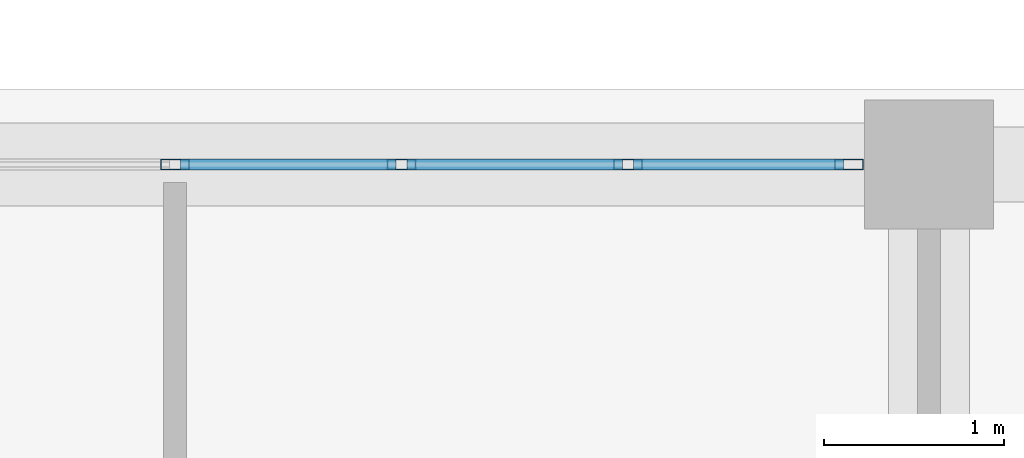
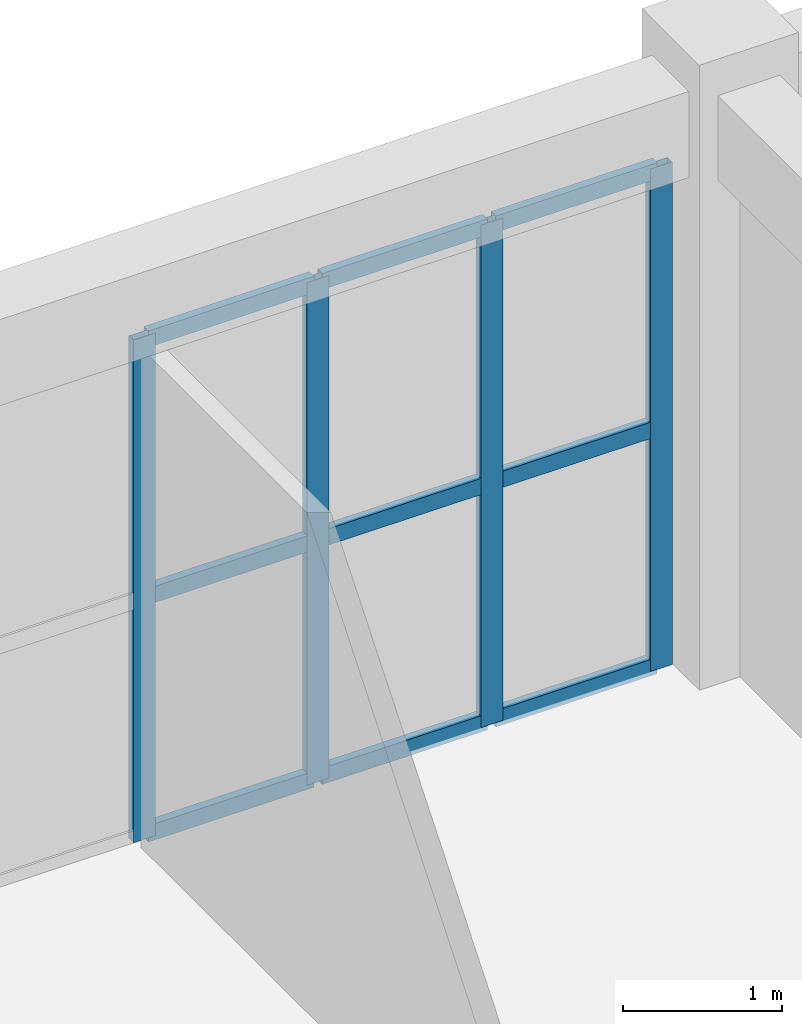
# One storey, part 89 of 158: 13 members, 1 element without a shape of its own.
"""IFC4 building model written with IfcOpenShell, lengths in metres."""

from ifc_helpers import new_model, si_unit, direction, frame, origin, origin_2d, place, context, subcontext, project, spatial, hollow_rectangle, extrude, material, layer, layer_set, material_profile, profile_set, type_object, element, aggregate, save


model = new_model("IFC4")

# Units and contexts
model_context = context("Model", 3, precision=1e-05, world=origin(), true_north=direction((0.0, 1.0)))
body_context = subcontext(model_context, "Body", "Model", "MODEL_VIEW")
ifc_project = project(units=[si_unit("LENGTHUNIT", "METRE"), si_unit("AREAUNIT", "SQUARE_METRE"), si_unit("VOLUMEUNIT", "CUBIC_METRE"), si_unit("PLANEANGLEUNIT", "RADIAN"), si_unit("MASSUNIT", "GRAM", prefix="KILO")], contexts=[model_context])

# Site, building, storey
site_placement = place(None, origin())
site = spatial("IfcSite", under=ifc_project, at=site_placement, CompositionType="ELEMENT")
building_placement = place(site_placement, origin())
building = spatial("IfcBuilding", under=site, at=building_placement, Name="Trelvath General Hospital", CompositionType="ELEMENT")
storey_placement = place(building_placement, frame((0.0, 0.0, 8.10009765625)))
storey = spatial("IfcBuildingStorey", under=building, at=storey_placement, Name="L02", CompositionType="ELEMENT", Elevation=8.10009765625)

# Curtain wall, members
ifc_material_1 = material(Name="Anodised aluminium and low-E glass", Category="aluminium")
ifc_layer = layer(ifc_material_1, 0.159912109375)
ifc_layer_set = layer_set([ifc_layer], Name="Anodised aluminium and low-E glass")
curtain_wall_type = type_object("IfcCurtainWallType", Name="CW Facade 757 386 16", PredefinedType="USERDEFINED", material=ifc_layer_set)
curtain_wall_placement = place(storey_placement, origin())
curtain_wall = element("IfcCurtainWall", 1, at=curtain_wall_placement, inside=storey, type_object=curtain_wall_type, Name="Facade Curtain Wall CW-045", ObjectType="Unitised Glazed Curtain Wall", PredefinedType="USERDEFINED")
ifc_material_2 = material(Name="Anodised aluminium", Category="aluminium")
ifc_material_profile_1 = material_profile(ifc_material_2, hollow_rectangle(XDim=0.06005859375, YDim=0.159912109375, WallThickness=0.00390625, at=origin_2d()), Name="RHS60x160x4")
ifc_profile_set_1 = profile_set([ifc_material_profile_1], Name="Anodised aluminium")
member_type_1 = type_object("IfcMemberType", Name="CurtainMullion 60x160", PredefinedType="MULLION", material=ifc_profile_set_1)
member_1_placement = place(storey_placement, frame((96.60009765625, 117.60009765625, 0.0), z_axis=(0.0, 0.0, 1.0), x_axis=(0.0, 1.0, 0.0)))
member_1 = element("IfcMember", 2, at=member_1_placement, type_object=member_type_1, Name="CW-045 mullion 4", PredefinedType="MULLION", context=body_context, shape_type="SweptSolid", body=[
    extrude(hollow_rectangle(XDim=0.06005859375, YDim=0.159912109375, WallThickness=0.00390625, at=origin_2d()), origin(), (0.0, 0.0, 1.0), 3.85986328125),
])
member_2_placement = place(storey_placement, frame((97.861572265625, 117.60009765625, 0.0), z_axis=(0.0, 0.0, 1.0), x_axis=(0.0, 1.0, 0.0)))
member_2 = element("IfcMember", 3, at=member_2_placement, type_object=member_type_1, Name="CW-045 mullion 5", PredefinedType="MULLION", context=body_context, shape_type="SweptSolid", body=[
    extrude(hollow_rectangle(XDim=0.06005859375, YDim=0.159912109375, WallThickness=0.00390625, at=origin_2d()), origin(), (0.0, 0.0, 1.0), 3.85986328125),
])
member_3_placement = place(storey_placement, frame((99.123291015625, 117.60009765625, 0.0), z_axis=(0.0, 0.0, 1.0), x_axis=(0.0, 1.0, 0.0)))
member_3 = element("IfcMember", 4, at=member_3_placement, type_object=member_type_1, Name="CW-045 mullion 6", PredefinedType="MULLION", context=body_context, shape_type="SweptSolid", body=[
    extrude(hollow_rectangle(XDim=0.06005859375, YDim=0.159912109375, WallThickness=0.00390625, at=origin_2d()), origin(), (0.0, 0.0, 1.0), 3.85986328125),
])
member_4_placement = place(storey_placement, frame((100.35498046875, 117.60009765625, 0.0), z_axis=(0.0, 0.0, 1.0), x_axis=(0.0, 1.0, 0.0)))
member_4 = element("IfcMember", 5, at=member_4_placement, type_object=member_type_1, Name="CW-045 mullion 7", PredefinedType="MULLION", context=body_context, shape_type="SweptSolid", body=[
    extrude(hollow_rectangle(XDim=0.06005859375, YDim=0.159912109375, WallThickness=0.00390625, at=origin_2d()), origin(), (0.0, 0.0, 1.0), 3.85986328125),
])
ifc_material_3 = material(Name="Anodised aluminium", Category="aluminium")
ifc_material_profile_2 = material_profile(ifc_material_3, hollow_rectangle(XDim=0.06005859375, YDim=0.125, WallThickness=0.00390625, at=origin_2d()), Name="RHS60x125x4")
ifc_profile_set_2 = profile_set([ifc_material_profile_2], Name="Anodised aluminium")
member_type_2 = type_object("IfcMemberType", Name="CurtainTransom 60x125", PredefinedType="USERDEFINED", material=ifc_profile_set_2)
member_5_placement = place(storey_placement, frame((96.6298828125, 117.60009765625, 0.02978515625), z_axis=(1.0, 0.0, 0.0), x_axis=(0.0, 1.0, 0.0)))
member_5 = element("IfcMember", 6, at=member_5_placement, type_object=member_type_2, Name="CW-045 transom 4.1", ObjectType="TRANSOM", PredefinedType="USERDEFINED", context=body_context, shape_type="SweptSolid", body=[
    extrude(hollow_rectangle(XDim=0.06005859375, YDim=0.125, WallThickness=0.00390625, at=origin_2d()), origin(), (0.0, 0.0, 1.0), 1.201904296875),
])
member_6_placement = place(storey_placement, frame((96.6298828125, 117.60009765625, 1.852783203125), z_axis=(1.0, 0.0, 0.0), x_axis=(0.0, 1.0, 0.0)))
member_6 = element("IfcMember", 7, at=member_6_placement, type_object=member_type_2, Name="CW-045 transom 4.2", ObjectType="TRANSOM", PredefinedType="USERDEFINED", context=body_context, shape_type="SweptSolid", body=[
    extrude(hollow_rectangle(XDim=0.06005859375, YDim=0.125, WallThickness=0.00390625, at=origin_2d()), origin(), (0.0, 0.0, 1.0), 1.201904296875),
])
member_7_placement = place(storey_placement, frame((96.6298828125, 117.60009765625, 3.829833984375), z_axis=(1.0, 0.0, 0.0), x_axis=(0.0, 1.0, 0.0)))
member_7 = element("IfcMember", 8, at=member_7_placement, type_object=member_type_2, Name="CW-045 transom 4.3", ObjectType="TRANSOM", PredefinedType="USERDEFINED", context=body_context, shape_type="SweptSolid", body=[
    extrude(hollow_rectangle(XDim=0.06005859375, YDim=0.125, WallThickness=0.00390625, at=origin_2d()), origin(), (0.0, 0.0, 1.0), 1.201904296875),
])
member_8_placement = place(storey_placement, frame((97.8916015625, 117.60009765625, 0.02978515625), z_axis=(1.0, 0.0, 0.0), x_axis=(0.0, 1.0, 0.0)))
member_8 = element("IfcMember", 9, at=member_8_placement, type_object=member_type_2, Name="CW-045 transom 5.1", ObjectType="TRANSOM", PredefinedType="USERDEFINED", context=body_context, shape_type="SweptSolid", body=[
    extrude(hollow_rectangle(XDim=0.06005859375, YDim=0.125, WallThickness=0.00390625, at=origin_2d()), origin(), (0.0, 0.0, 1.0), 1.20166015625),
])
member_9_placement = place(storey_placement, frame((97.8916015625, 117.60009765625, 1.852783203125), z_axis=(1.0, 0.0, 0.0), x_axis=(0.0, 1.0, 0.0)))
member_9 = element("IfcMember", 10, at=member_9_placement, type_object=member_type_2, Name="CW-045 transom 5.2", ObjectType="TRANSOM", PredefinedType="USERDEFINED", context=body_context, shape_type="SweptSolid", body=[
    extrude(hollow_rectangle(XDim=0.06005859375, YDim=0.125, WallThickness=0.00390625, at=origin_2d()), origin(), (0.0, 0.0, 1.0), 1.20166015625),
])
member_10_placement = place(storey_placement, frame((97.8916015625, 117.60009765625, 3.829833984375), z_axis=(1.0, 0.0, 0.0), x_axis=(0.0, 1.0, 0.0)))
member_10 = element("IfcMember", 11, at=member_10_placement, type_object=member_type_2, Name="CW-045 transom 5.3", ObjectType="TRANSOM", PredefinedType="USERDEFINED", context=body_context, shape_type="SweptSolid", body=[
    extrude(hollow_rectangle(XDim=0.06005859375, YDim=0.125, WallThickness=0.00390625, at=origin_2d()), origin(), (0.0, 0.0, 1.0), 1.20166015625),
])
member_11_placement = place(storey_placement, frame((99.1533203125, 117.60009765625, 0.02978515625), z_axis=(1.0, 0.0, 0.0), x_axis=(0.0, 1.0, 0.0)))
member_11 = element("IfcMember", 12, at=member_11_placement, type_object=member_type_2, Name="CW-045 transom 6.1", ObjectType="TRANSOM", PredefinedType="USERDEFINED", context=body_context, shape_type="SweptSolid", body=[
    extrude(hollow_rectangle(XDim=0.06005859375, YDim=0.125, WallThickness=0.00390625, at=origin_2d()), origin(), (0.0, 0.0, 1.0), 1.171630859375),
])
member_12_placement = place(storey_placement, frame((99.1533203125, 117.60009765625, 1.852783203125), z_axis=(1.0, 0.0, 0.0), x_axis=(0.0, 1.0, 0.0)))
member_12 = element("IfcMember", 13, at=member_12_placement, type_object=member_type_2, Name="CW-045 transom 6.2", ObjectType="TRANSOM", PredefinedType="USERDEFINED", context=body_context, shape_type="SweptSolid", body=[
    extrude(hollow_rectangle(XDim=0.06005859375, YDim=0.125, WallThickness=0.00390625, at=origin_2d()), origin(), (0.0, 0.0, 1.0), 1.171630859375),
])
member_13_placement = place(storey_placement, frame((99.1533203125, 117.60009765625, 3.829833984375), z_axis=(1.0, 0.0, 0.0), x_axis=(0.0, 1.0, 0.0)))
member_13 = element("IfcMember", 14, at=member_13_placement, type_object=member_type_2, Name="CW-045 transom 6.3", ObjectType="TRANSOM", PredefinedType="USERDEFINED", context=body_context, shape_type="SweptSolid", body=[
    extrude(hollow_rectangle(XDim=0.06005859375, YDim=0.125, WallThickness=0.00390625, at=origin_2d()), origin(), (0.0, 0.0, 1.0), 1.171630859375),
])
aggregate(curtain_wall, [member_1, member_2, member_3, member_4, member_5, member_6, member_7, member_8, member_9, member_10, member_11, member_12, member_13])

save(model, "model.ifc")
